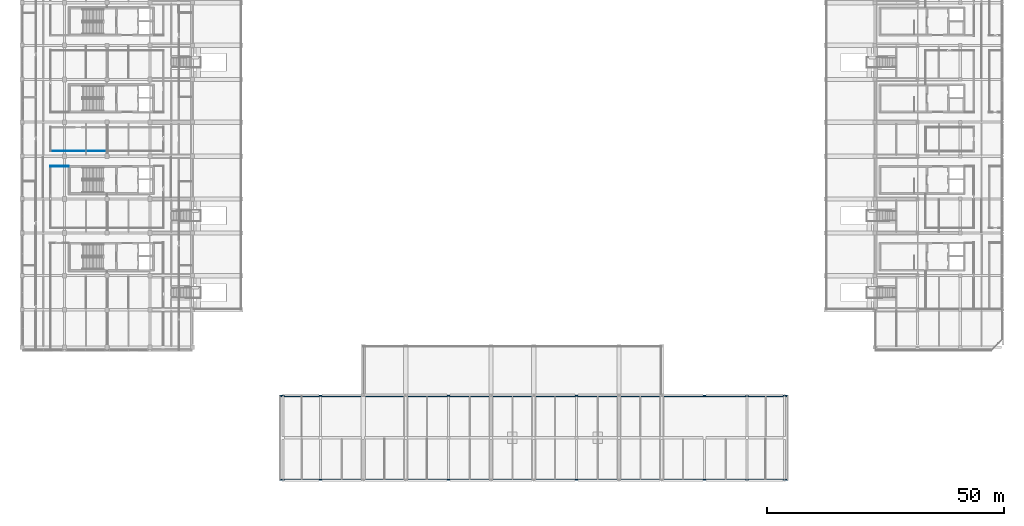
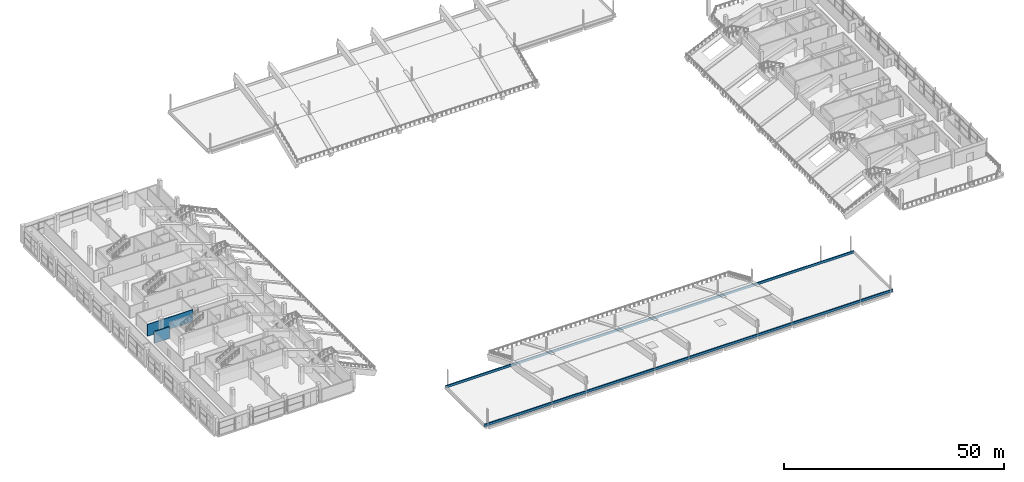
# One storey, part 49 of 66: 4 walls.
"""IFC4 building model written with IfcOpenShell, lengths in metres."""

from ifc_helpers import new_model, si_unit, direction, frame, frame_2d, origin, place, context, subcontext, project, spatial, rectangle, extrude, material, layer, layer_set, type_object, element, save


model = new_model("IFC4")

# Units and contexts
model_context = context("Model", 3, precision=1e-05, world=origin(), true_north=direction((0.0, 1.0)))
body_context = subcontext(model_context, "Body", "Model", "MODEL_VIEW")
ifc_project = project(units=[si_unit("LENGTHUNIT", "METRE"), si_unit("AREAUNIT", "SQUARE_METRE"), si_unit("VOLUMEUNIT", "CUBIC_METRE"), si_unit("PLANEANGLEUNIT", "RADIAN"), si_unit("MASSUNIT", "GRAM", prefix="KILO"), si_unit("THERMODYNAMICTEMPERATUREUNIT", "KELVIN"), si_unit("POWERUNIT", "WATT")], contexts=[model_context])

# Site, building, storey
site_placement = place(None, origin())
site = spatial("IfcSite", under=ifc_project, at=site_placement, CompositionType="ELEMENT")
building_placement = place(site_placement, origin())
building = spatial("IfcBuilding", under=site, at=building_placement, Name="Sindhuravela Promenade Stadium", CompositionType="ELEMENT")
storey_placement = place(building_placement, frame((0.0, 0.0, 19.199951171875)))
storey = spatial("IfcBuildingStorey", under=building, at=storey_placement, Name="L04", CompositionType="ELEMENT", Elevation=19.199951171875)

# Walls
ifc_material_1 = material(Name="Terracotta clay brick masonry (15 MPa)", Category="masonry")
ifc_layer_1 = layer(ifc_material_1, 0.27001953125)
ifc_layer_set_1 = layer_set([ifc_layer_1], Name="Terracotta clay brick masonry (15 MPa)")
wall_type_1 = type_object("IfcWallType", Name="EX-WL-PAR270", PredefinedType="PARAPET", material=ifc_layer_set_1)
for number, where, z_axis, x_axis, name in (
    (1, (161.590087890625, 9.159912109375, 0.0), (0.0, 0.0, 1.0), (-1.0, 0.0, 0.0), "Maintenance roof parapet SOUTH 14"),
    (2, (54.409912109375, 26.840087890625, 0.0), (0.0, 0.0, 1.0), (1.0, 0.0, 0.0), "Maintenance roof parapet SOUTH 16"),
):
    element("IfcWall", number, at=place(storey_placement, frame(where, z_axis=z_axis, x_axis=x_axis)), inside=storey, type_object=wall_type_1, Name=name, PredefinedType="PARAPET", context=body_context, shape_type="SweptSolid", body=[
        extrude(rectangle(XDim=107.18017578125, YDim=0.27001953125, at=frame_2d((53.590087890625, 0.0))), origin(), (0.0, 0.0, 1.0), 0.650146484375),
    ])
ifc_material_2 = material(Name="Fire-rated gypsum partition board", Category="gypsum")
ifc_layer_2 = layer(ifc_material_2, 0.14990234375)
ifc_layer_set_2 = layer_set([ifc_layer_2], Name="Fire-rated gypsum partition board")
wall_type_2 = type_object("IfcWallType", Name="IN-WL-PAR150", PredefinedType="PARTITIONING", material=ifc_layer_set_2)
wall_1_placement = place(storey_placement, frame((5.9599609375, 75.31005859375, 0.0), z_axis=(0.0, 0.0, 1.0), x_axis=(1.0, 0.0, 0.0)))
element("IfcWall", 3, at=wall_1_placement, inside=storey, type_object=wall_type_2, Name="Interior partition IW04 WEST L04", PredefinedType="PARTITIONING", context=body_context, shape_type="SweptSolid", body=[
    extrude(rectangle(XDim=3.93798828125, YDim=0.14990234375, at=frame_2d((1.968994140625, 0.0))), origin(), (0.0, 0.0, 1.0), 3.280029296875),
])
ifc_layer_3 = layer(ifc_material_2, 0.175048828125)
ifc_layer_set_3 = layer_set([ifc_layer_3], Name="Fire-rated gypsum partition board")
wall_type_3 = type_object("IfcWallType", Name="IN-WL-PAR175", PredefinedType="PARTITIONING", material=ifc_layer_set_3)
wall_2_placement = place(storey_placement, frame((17.909912109375, 78.489990234375, 0.0), z_axis=(0.0, 0.0, 1.0), x_axis=(-1.0, 0.0, 0.0)))
element("IfcWall", 4, at=wall_2_placement, inside=storey, type_object=wall_type_3, Name="Interior partition IW03 WEST L04", PredefinedType="PARTITIONING", context=body_context, shape_type="SweptSolid", body=[
    extrude(rectangle(XDim=11.949951171875, YDim=0.175048828125, at=frame_2d((5.97509765625, 0.0))), origin(), (0.0, 0.0, 1.0), 3.280029296875),
])

save(model, "model.ifc")
